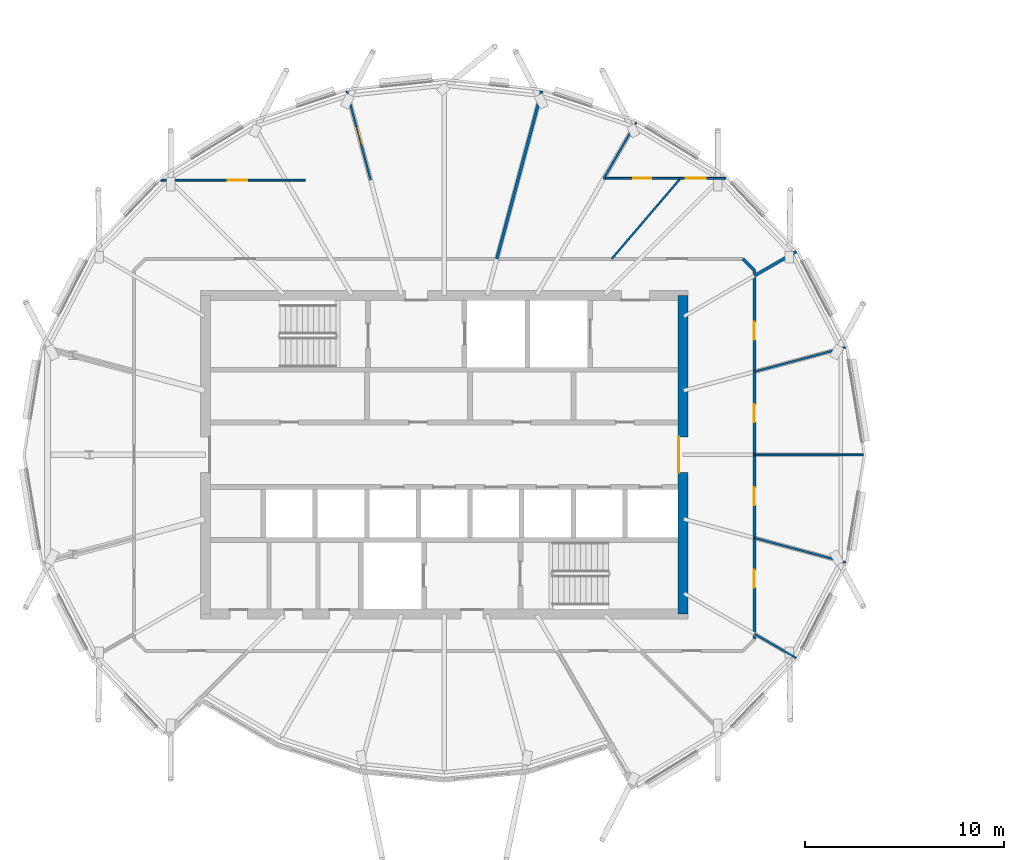
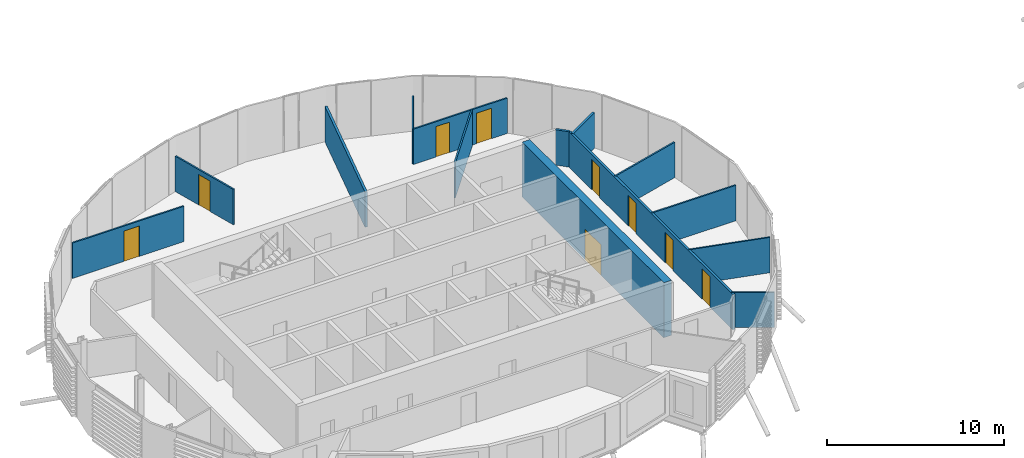
# One storey, part 19 of 38: 15 walls, 9 doors, 9 openings.
"""IFC4 building model written with IfcOpenShell, lengths in metres."""

from ifc_helpers import new_model, si_unit, direction, frame, frame_2d, origin, place, context, subcontext, project, spatial, rectangle, extrude, material, layer, layer_set, type_object, element, fill, save


model = new_model("IFC4")

# Units and contexts
model_context = context("Model", 3, precision=1e-05, world=origin(), true_north=direction((0.0, 1.0)))
body_context = subcontext(model_context, "Body", "Model", "MODEL_VIEW")
ifc_project = project(units=[si_unit("LENGTHUNIT", "METRE"), si_unit("AREAUNIT", "SQUARE_METRE"), si_unit("VOLUMEUNIT", "CUBIC_METRE"), si_unit("PLANEANGLEUNIT", "RADIAN"), si_unit("MASSUNIT", "GRAM", prefix="KILO")], contexts=[model_context])

# Site, building, storey
site_placement = place(None, origin())
site = spatial("IfcSite", under=ifc_project, at=site_placement, CompositionType="ELEMENT")
building_placement = place(site_placement, origin())
building = spatial("IfcBuilding", under=site, at=building_placement, Name="Rimbun Link Towers", CompositionType="ELEMENT")
storey_placement = place(building_placement, frame((0.0, 0.0, 218.10009765625)))
storey = spatial("IfcBuildingStorey", under=building, at=storey_placement, Name="L53", CompositionType="ELEMENT", Elevation=218.10009765625)

# Wall, opening, door
ifc_material_1 = material(Name="Concrete C60/75", Category="concrete")
ifc_layer_1 = layer(ifc_material_1, 0.5)
ifc_layer_set_1 = layer_set([ifc_layer_1], Name="Core shear wall 500")
wall_type_1 = type_object("IfcWallType", Name="Core shear wall 500", PredefinedType="SHEAR", material=ifc_layer_set_1)
wall_1_placement = place(storey_placement, frame((-19.75, -8.0, 0.0), z_axis=(0.0, 0.0, 1.0), x_axis=(0.0, 1.0, 0.0)))
wall_1 = element("IfcWall", 1, at=wall_1_placement, inside=storey, type_object=wall_type_1, Name="L53 T1 core wall E", PredefinedType="SHEAR", context=body_context, shape_type="SweptSolid", body=[
    extrude(rectangle(XDim=16.0, YDim=0.5, at=frame_2d((8.0, 0.0))), origin(), (0.0, 0.0, 1.0), 3.7998046875),
])
opening_1_placement = place(wall_1_placement, frame((7.10009765625, 0.0, 0.0)))
opening_1 = element("IfcOpeningElement", 2, at=opening_1_placement, cuts=wall_1, Name="Opening C1DCL01E", PredefinedType="OPENING", context=body_context, shape_type="SweptSolid", body=[
    extrude(rectangle(XDim=1.800048828125, YDim=2.10009765625, at=frame_2d((0.89990234375, 1.050048828125))), frame((0.0, 0.260009765625, 0.0), z_axis=(0.0, -1.0, 0.0), x_axis=(1.0, 0.0, 0.0)), (0.0, 0.0, 1.0), 0.52001953125),
])
ifc_material_2 = material(Name="Steel fire door set", Category="steel")
door_type_1 = type_object("IfcDoorType", Name="Core lobby door double", OperationType="DOUBLE_DOOR_SINGLE_SWING", PredefinedType="DOOR", material=ifc_material_2)
door_1_placement = place(opening_1_placement, origin())
door_1 = element("IfcDoor", 3, at=door_1_placement, inside=storey, type_object=door_type_1, Name="L53 T1 lift lobby door", OperationType="DOUBLE_DOOR_SINGLE_SWING", OverallHeight=2.10009765625, OverallWidth=1.800048828125, PredefinedType="DOOR", context=body_context, shape_type="SweptSolid", body=[
    extrude(rectangle(XDim=1.800048828125, YDim=2.10009765625, at=frame_2d((0.89990234375, 1.050048828125))), frame((0.0, 0.25, 0.0), z_axis=(0.0, -1.0, 0.0), x_axis=(1.0, 0.0, 0.0)), (0.0, 0.0, 1.0), 0.050048828125),
])
fill(opening_1, door_1)

# Wall
ifc_material_3 = material(Name="Plasterboard on steel stud, mineral wool", Category="steel")
ifc_layer_2 = layer(ifc_material_3, 0.14990234375)
ifc_layer_set_2 = layer_set([ifc_layer_2], Name="Corridor wall EI 30 150 mm")
wall_type_2 = type_object("IfcWallType", Name="Corridor wall EI 30 150 mm", PredefinedType="PARTITIONING", material=ifc_layer_set_2)
wall_2_placement = place(storey_placement, frame((-16.1650390625, 9.263671875, 0.0), z_axis=(0.0, 0.0, 1.0), x_axis=(-0.707106781187, 0.707106781187, 0.0)))
element("IfcWall", 4, at=wall_2_placement, inside=storey, type_object=wall_type_2, Name="Corridor wall EI 30 150 mm", PredefinedType="PARTITIONING", context=body_context, shape_type="SweptSolid", body=[
    extrude(rectangle(XDim=0.822021484375, YDim=0.14990234375, at=frame_2d((0.4111328125, 0.0))), origin(), (0.0, 0.0, 1.0), 2.43994140625),
])

# Wall, openings, doors
wall_3_placement = place(storey_placement, frame((-16.1650390625, 9.263671875, 0.0), z_axis=(0.0, 0.0, 1.0), x_axis=(0.0, -1.0, 0.0)))
wall_3 = element("IfcWall", 5, at=wall_3_placement, inside=storey, type_object=wall_type_2, Name="Corridor wall EI 30 150 mm", PredefinedType="PARTITIONING", context=body_context, shape_type="SweptSolid", body=[
    extrude(rectangle(XDim=18.52734375, YDim=0.14990234375, at=frame_2d((9.263671875, 0.0))), origin(), (0.0, 0.0, 1.0), 2.43994140625),
])
opening_2_placement = place(wall_3_placement, frame((15.041748046875, 0.0, 0.0)))
opening_2 = element("IfcOpeningElement", 6, at=opening_2_placement, cuts=wall_3, Name="Opening D02", PredefinedType="OPENING", context=body_context, shape_type="SweptSolid", body=[
    extrude(rectangle(XDim=0.89990234375, YDim=2.10009765625, at=frame_2d((0.449951171875, 1.050048828125))), frame((0.0, 0.0849609375, 0.0), z_axis=(0.0, -1.0, 0.0), x_axis=(1.0, 0.0, 0.0)), (0.0, 0.0, 1.0), 0.169921875),
])
opening_3_placement = place(wall_3_placement, frame((10.901611328125, 0.0, 0.0)))
opening_3 = element("IfcOpeningElement", 7, at=opening_3_placement, cuts=wall_3, Name="Opening D02", PredefinedType="OPENING", context=body_context, shape_type="SweptSolid", body=[
    extrude(rectangle(XDim=0.89990234375, YDim=2.10009765625, at=frame_2d((0.449951171875, 1.050048828125))), frame((0.0, 0.0849609375, 0.0), z_axis=(0.0, -1.0, 0.0), x_axis=(1.0, 0.0, 0.0)), (0.0, 0.0, 1.0), 0.169921875),
])
opening_4_placement = place(wall_3_placement, frame((6.7255859375, 0.0, 0.0)))
opening_4 = element("IfcOpeningElement", 8, at=opening_4_placement, cuts=wall_3, Name="Opening D02", PredefinedType="OPENING", context=body_context, shape_type="SweptSolid", body=[
    extrude(rectangle(XDim=0.89990234375, YDim=2.10009765625, at=frame_2d((0.449951171875, 1.050048828125))), frame((0.0, 0.0849609375, 0.0), z_axis=(0.0, -1.0, 0.0), x_axis=(1.0, 0.0, 0.0)), (0.0, 0.0, 1.0), 0.169921875),
])
opening_5_placement = place(wall_3_placement, frame((2.585693359375, 0.0, 0.0)))
opening_5 = element("IfcOpeningElement", 9, at=opening_5_placement, cuts=wall_3, Name="Opening D02", PredefinedType="OPENING", context=body_context, shape_type="SweptSolid", body=[
    extrude(rectangle(XDim=0.89990234375, YDim=2.10009765625, at=frame_2d((0.449951171875, 1.050048828125))), frame((0.0, 0.0849609375, 0.0), z_axis=(0.0, -1.0, 0.0), x_axis=(1.0, 0.0, 0.0)), (0.0, 0.0, 1.0), 0.169921875),
])
ifc_material_4 = material(Name="Fire-resisting timber door leaf", Category="wood")
door_type_2 = type_object("IfcDoorType", Name="Fire door FD30S 900", OperationType="NOTDEFINED", PredefinedType="DOOR", material=ifc_material_4)
door_2_placement = place(opening_2_placement, origin())
door_2 = element("IfcDoor", 10, at=door_2_placement, inside=storey, type_object=door_type_2, Name="Fire door FD30S 900 to Open office", OperationType="SINGLE_SWING_LEFT", OverallHeight=2.10009765625, OverallWidth=0.89990234375, PredefinedType="DOOR", context=body_context, shape_type="SweptSolid", body=[
    extrude(rectangle(XDim=0.89990234375, YDim=2.10009765625, at=frame_2d((0.449951171875, 1.050048828125))), frame((0.0, 0.02490234375, 0.0), z_axis=(0.0, -1.0, 0.0), x_axis=(1.0, 0.0, 0.0)), (0.0, 0.0, 1.0), 0.050048828125),
])
fill(opening_2, door_2)
door_3_placement = place(opening_3_placement, origin())
door_3 = element("IfcDoor", 11, at=door_3_placement, inside=storey, type_object=door_type_2, Name="Fire door FD30S 900 to Boardroom", OperationType="SINGLE_SWING_RIGHT", OverallHeight=2.10009765625, OverallWidth=0.89990234375, PredefinedType="DOOR", context=body_context, shape_type="SweptSolid", body=[
    extrude(rectangle(XDim=0.89990234375, YDim=2.10009765625, at=frame_2d((0.449951171875, 1.050048828125))), frame((0.0, 0.02490234375, 0.0), z_axis=(0.0, -1.0, 0.0), x_axis=(1.0, 0.0, 0.0)), (0.0, 0.0, 1.0), 0.050048828125),
])
fill(opening_3, door_3)
door_4_placement = place(opening_4_placement, origin())
door_4 = element("IfcDoor", 12, at=door_4_placement, inside=storey, type_object=door_type_2, Name="Fire door FD30S 900 to Meeting room", OperationType="SINGLE_SWING_LEFT", OverallHeight=2.10009765625, OverallWidth=0.89990234375, PredefinedType="DOOR", context=body_context, shape_type="SweptSolid", body=[
    extrude(rectangle(XDim=0.89990234375, YDim=2.10009765625, at=frame_2d((0.449951171875, 1.050048828125))), frame((0.0, 0.02490234375, 0.0), z_axis=(0.0, -1.0, 0.0), x_axis=(1.0, 0.0, 0.0)), (0.0, 0.0, 1.0), 0.050048828125),
])
fill(opening_4, door_4)
door_5_placement = place(opening_5_placement, origin())
door_5 = element("IfcDoor", 13, at=door_5_placement, inside=storey, type_object=door_type_2, Name="Fire door FD30S 900 to Executive office", OperationType="SINGLE_SWING_RIGHT", OverallHeight=2.10009765625, OverallWidth=0.89990234375, PredefinedType="DOOR", context=body_context, shape_type="SweptSolid", body=[
    extrude(rectangle(XDim=0.89990234375, YDim=2.10009765625, at=frame_2d((0.449951171875, 1.050048828125))), frame((0.0, 0.02490234375, 0.0), z_axis=(0.0, -1.0, 0.0), x_axis=(1.0, 0.0, 0.0)), (0.0, 0.0, 1.0), 0.050048828125),
])
fill(opening_5, door_5)

# Walls
ifc_material_5 = material(Name="Plasterboard on steel stud", Category="steel")
ifc_layer_3 = layer(ifc_material_5, 0.10009765625)
ifc_layer_set_3 = layer_set([ifc_layer_3], Name="Plasterboard partition 100 mm")
wall_type_3 = type_object("IfcWallType", Name="Plasterboard partition 100 mm", PredefinedType="PARTITIONING", material=ifc_layer_set_3)
wall_4_placement = place(storey_placement, frame((-14.065185546875, -10.21044921875, 0.0), z_axis=(0.0, 0.0, 1.0), x_axis=(-0.866016233231, 0.500015883528, 0.0)))
element("IfcWall", 14, at=wall_4_placement, inside=storey, type_object=wall_type_3, Name="Plasterboard partition 100 mm", PredefinedType="PARTITIONING", context=body_context, shape_type="SweptSolid", body=[
    extrude(rectangle(XDim=2.4248046875, YDim=0.10009765625, at=frame_2d((1.21240234375, 0.0))), origin(), (0.0, 0.0, 1.0), 2.43994140625),
])
wall_5_placement = place(storey_placement, frame((-11.57861328125, -5.40478515625, 0.0), z_axis=(0.0, 0.0, 1.0), x_axis=(-0.96593474065, 0.258785773964, 0.0)))
element("IfcWall", 15, at=wall_5_placement, inside=storey, type_object=wall_type_3, Name="Plasterboard partition 100 mm", PredefinedType="PARTITIONING", context=body_context, shape_type="SweptSolid", body=[
    extrude(rectangle(XDim=4.748291015625, YDim=0.10009765625, at=frame_2d((2.3740234375, 0.0))), origin(), (0.0, 0.0, 1.0), 2.43994140625),
])
wall_6_placement = place(storey_placement, frame((-10.689697265625, 0.0, 0.0), z_axis=(0.0, 0.0, 1.0), x_axis=(-1.0, 0.0, 0.0)))
element("IfcWall", 16, at=wall_6_placement, inside=storey, type_object=wall_type_3, Name="Plasterboard partition 100 mm", PredefinedType="PARTITIONING", context=body_context, shape_type="SweptSolid", body=[
    extrude(rectangle(XDim=5.475341796875, YDim=0.10009765625, at=frame_2d((2.73779296875, 0.0))), origin(), (0.0, 0.0, 1.0), 2.43994140625),
])
wall_7_placement = place(storey_placement, frame((-11.57861328125, 5.40478515625, 0.0), z_axis=(0.0, 0.0, 1.0), x_axis=(-0.96593474065, -0.258785773964, 0.0)))
element("IfcWall", 17, at=wall_7_placement, inside=storey, type_object=wall_type_3, Name="Plasterboard partition 100 mm", PredefinedType="PARTITIONING", context=body_context, shape_type="SweptSolid", body=[
    extrude(rectangle(XDim=4.748291015625, YDim=0.10009765625, at=frame_2d((2.3740234375, 0.0))), origin(), (0.0, 0.0, 1.0), 2.43994140625),
])

# Wall, opening, door
wall_8_placement = place(storey_placement, frame((-19.916259765625, 13.89501953125, 0.0), z_axis=(0.0, 0.0, 1.0), x_axis=(1.0, 0.0, 0.0)))
wall_8 = element("IfcWall", 18, at=wall_8_placement, inside=storey, type_object=wall_type_3, Name="Plasterboard partition 100 mm", PredefinedType="PARTITIONING", context=body_context, shape_type="SweptSolid", body=[
    extrude(rectangle(XDim=2.318603515625, YDim=0.10009765625, at=frame_2d((1.1591796875, 0.0))), origin(), (0.0, 0.0, 1.0), 2.43994140625),
])
opening_6_placement = place(wall_8_placement, frame((0.300048828125, 0.0, 0.0)))
opening_6 = element("IfcOpeningElement", 19, at=opening_6_placement, cuts=wall_8, Name="Opening D03", PredefinedType="OPENING", context=body_context, shape_type="SweptSolid", body=[
    extrude(rectangle(XDim=1.0, YDim=2.10009765625, at=frame_2d((0.5, 1.050048828125))), frame((0.0, 0.06005859375, 0.0), z_axis=(0.0, -1.0, 0.0), x_axis=(1.0, 0.0, 0.0)), (0.0, 0.0, 1.0), 0.1201171875),
])
ifc_material_6 = material(Name="Timber door leaf", Category="wood")
door_type_3 = type_object("IfcDoorType", Name="Flush door 1000", OperationType="NOTDEFINED", PredefinedType="DOOR", material=ifc_material_6)
door_6_placement = place(opening_6_placement, origin())
door_6 = element("IfcDoor", 20, at=door_6_placement, inside=storey, type_object=door_type_3, Name="Flush door 1000 to Boardroom", OperationType="SINGLE_SWING_LEFT", OverallHeight=2.10009765625, OverallWidth=1.0, PredefinedType="DOOR", context=body_context, shape_type="SweptSolid", body=[
    extrude(rectangle(XDim=1.0, YDim=2.10009765625, at=frame_2d((0.5, 1.050048828125))), frame((0.0, 0.02490234375, 0.0), z_axis=(0.0, -1.0, 0.0), x_axis=(1.0, 0.0, 0.0)), (0.0, 0.0, 1.0), 0.050048828125),
])
fill(opening_6, door_6)

# Wall
wall_9_placement = place(storey_placement, frame((-19.876708984375, 13.89501953125, 0.0), z_axis=(0.0, 0.0, 1.0), x_axis=(-0.649624395517, -0.760255315502, 0.0)))
element("IfcWall", 21, at=wall_9_placement, inside=storey, type_object=wall_type_3, Name="Plasterboard partition 100 mm", PredefinedType="PARTITIONING", context=body_context, shape_type="SweptSolid", body=[
    extrude(rectangle(XDim=5.3271484375, YDim=0.10009765625, at=frame_2d((2.66357421875, 0.0))), origin(), (0.0, 0.0, 1.0), 2.43994140625),
])

# Wall, opening, door
wall_10_placement = place(storey_placement, frame((-19.876708984375, 13.89501953125, 0.0), z_axis=(0.0, 0.0, 1.0), x_axis=(-1.0, 0.0, 0.0)))
wall_10 = element("IfcWall", 22, at=wall_10_placement, inside=storey, type_object=wall_type_3, Name="Plasterboard partition 100 mm", PredefinedType="PARTITIONING", context=body_context, shape_type="SweptSolid", body=[
    extrude(rectangle(XDim=3.85107421875, YDim=0.10009765625, at=frame_2d((1.925537109375, 0.0))), origin(), (0.0, 0.0, 1.0), 2.43994140625),
])
opening_7_placement = place(wall_10_placement, frame((1.475341796875, 0.0, 0.0)))
opening_7 = element("IfcOpeningElement", 23, at=opening_7_placement, cuts=wall_10, Name="Opening D04", PredefinedType="OPENING", context=body_context, shape_type="SweptSolid", body=[
    extrude(rectangle(XDim=0.89990234375, YDim=2.10009765625, at=frame_2d((0.449951171875, 1.050048828125))), frame((0.0, 0.06005859375, 0.0), z_axis=(0.0, -1.0, 0.0), x_axis=(1.0, 0.0, 0.0)), (0.0, 0.0, 1.0), 0.1201171875),
])
ifc_material_7 = material(Name="Timber door leaf", Category="wood")
door_type_4 = type_object("IfcDoorType", Name="Flush door 900", OperationType="NOTDEFINED", PredefinedType="DOOR", material=ifc_material_7)
door_7_placement = place(opening_7_placement, origin())
door_7 = element("IfcDoor", 24, at=door_7_placement, inside=storey, type_object=door_type_4, Name="Flush door 900 to Meeting room", OperationType="SINGLE_SWING_RIGHT", OverallHeight=2.10009765625, OverallWidth=0.89990234375, PredefinedType="DOOR", context=body_context, shape_type="SweptSolid", body=[
    extrude(rectangle(XDim=0.89990234375, YDim=2.10009765625, at=frame_2d((0.449951171875, 1.050048828125))), frame((0.0, 0.02490234375, 0.0), z_axis=(0.0, -1.0, 0.0), x_axis=(1.0, 0.0, 0.0)), (0.0, 0.0, 1.0), 0.050048828125),
])
fill(opening_7, door_7)

# Wall
wall_11_placement = place(storey_placement, frame((-22.100341796875, 16.713623046875, 0.0), z_axis=(0.0, 0.0, 1.0), x_axis=(-0.500027630784, -0.866009450556, 0.0)))
element("IfcWall", 25, at=wall_11_placement, inside=storey, type_object=wall_type_3, Name="Plasterboard partition 100 mm", PredefinedType="PARTITIONING", context=body_context, shape_type="SweptSolid", body=[
    extrude(rectangle(XDim=3.254638671875, YDim=0.10009765625, at=frame_2d((1.62744140625, 0.0))), origin(), (0.0, 0.0, 1.0), 2.43994140625),
])

# Wall, opening, door
wall_12_placement = place(storey_placement, frame((-46.003662109375, 13.804931640625, 0.0), z_axis=(0.0, 0.0, 1.0), x_axis=(1.0, 0.0, 0.0)))
wall_12 = element("IfcWall", 26, at=wall_12_placement, inside=storey, type_object=wall_type_3, Name="Plasterboard partition 100 mm", PredefinedType="PARTITIONING", context=body_context, shape_type="SweptSolid", body=[
    extrude(rectangle(XDim=7.277587890625, YDim=0.10009765625, at=frame_2d((3.638671875, 0.0))), origin(), (0.0, 0.0, 1.0), 2.43994140625),
])
opening_8_placement = place(wall_12_placement, frame((3.36328125, 0.0, 0.0)))
opening_8 = element("IfcOpeningElement", 27, at=opening_8_placement, cuts=wall_12, Name="Opening D03", PredefinedType="OPENING", context=body_context, shape_type="SweptSolid", body=[
    extrude(rectangle(XDim=1.0, YDim=2.10009765625, at=frame_2d((0.5, 1.050048828125))), frame((0.0, 0.06005859375, 0.0), z_axis=(0.0, -1.0, 0.0), x_axis=(1.0, 0.0, 0.0)), (0.0, 0.0, 1.0), 0.1201171875),
])
door_8_placement = place(opening_8_placement, origin())
door_8 = element("IfcDoor", 28, at=door_8_placement, inside=storey, type_object=door_type_3, Name="Flush door 1000 to Open office", OperationType="SINGLE_SWING_LEFT", OverallHeight=2.10009765625, OverallWidth=1.0, PredefinedType="DOOR", context=body_context, shape_type="SweptSolid", body=[
    extrude(rectangle(XDim=1.0, YDim=2.10009765625, at=frame_2d((0.5, 1.050048828125))), frame((0.0, 0.02490234375, 0.0), z_axis=(0.0, -1.0, 0.0), x_axis=(1.0, 0.0, 0.0)), (0.0, 0.0, 1.0), 0.050048828125),
])
fill(opening_8, door_8)

wall_13_placement = place(storey_placement, frame((-36.650146484375, 18.28759765625, 0.0), z_axis=(0.0, 0.0, 1.0), x_axis=(0.258779035432, -0.96593654596, 0.0)))
wall_13 = element("IfcWall", 29, at=wall_13_placement, inside=storey, type_object=wall_type_3, Name="Plasterboard partition 100 mm", PredefinedType="PARTITIONING", context=body_context, shape_type="SweptSolid", body=[
    extrude(rectangle(XDim=4.640625, YDim=0.10009765625, at=frame_2d((2.3203125, 0.0))), origin(), (0.0, 0.0, 1.0), 2.43994140625),
])
opening_9_placement = place(wall_13_placement, frame((1.870361328125, 0.0, 0.0)))
opening_9 = element("IfcOpeningElement", 30, at=opening_9_placement, cuts=wall_13, Name="Opening D04", PredefinedType="OPENING", context=body_context, shape_type="SweptSolid", body=[
    extrude(rectangle(XDim=0.89990234375, YDim=2.10009765625, at=frame_2d((0.449951171875, 1.050048828125))), frame((0.0, 0.06005859375, 0.0), z_axis=(0.0, -1.0, 0.0), x_axis=(1.0, 0.0, 0.0)), (0.0, 0.0, 1.0), 0.1201171875),
])
door_9_placement = place(opening_9_placement, origin())
door_9 = element("IfcDoor", 31, at=door_9_placement, inside=storey, type_object=door_type_4, Name="Flush door 900 to Executive office", OperationType="SINGLE_SWING_RIGHT", OverallHeight=2.10009765625, OverallWidth=0.89990234375, PredefinedType="DOOR", context=body_context, shape_type="SweptSolid", body=[
    extrude(rectangle(XDim=0.89990234375, YDim=2.10009765625, at=frame_2d((0.449951171875, 1.050048828125))), frame((0.0, 0.02490234375, 0.0), z_axis=(0.0, -1.0, 0.0), x_axis=(1.0, 0.0, 0.0)), (0.0, 0.0, 1.0), 0.050048828125),
])
fill(opening_9, door_9)

# Walls
ifc_material_8 = material(Name="Plasterboard on steel stud, mineral wool", Category="steel")
ifc_layer_4 = layer(ifc_material_8, 0.14990234375)
ifc_layer_set_4 = layer_set([ifc_layer_4], Name="Tenancy separation wall EI 60 150 mm")
wall_type_4 = type_object("IfcWallType", Name="Tenancy separation wall EI 60 150 mm", PredefinedType="PARTITIONING", material=ifc_layer_set_4)
wall_14_placement = place(storey_placement, frame((-16.1650390625, 8.998046875, 0.0), z_axis=(0.0, 0.0, 1.0), x_axis=(0.866016233231, 0.500015883528, 0.0)))
element("IfcWall", 32, at=wall_14_placement, inside=storey, type_object=wall_type_4, Name="Tenancy separation wall EI 60 150 mm", PredefinedType="PARTITIONING", context=body_context, shape_type="SweptSolid", body=[
    extrude(rectangle(XDim=2.4248046875, YDim=0.14990234375, at=frame_2d((1.21240234375, 0.0))), origin(), (0.0, 0.0, 1.0), 2.43994140625),
])
wall_15_placement = place(storey_placement, frame((-29.112060546875, 9.844970703125, 0.0), z_axis=(0.0, 0.0, 1.0), x_axis=(0.258820321487, 0.965925484282, 0.0)))
element("IfcWall", 33, at=wall_15_placement, inside=storey, type_object=wall_type_4, Name="Tenancy separation wall EI 60 150 mm", PredefinedType="PARTITIONING", context=body_context, shape_type="SweptSolid", body=[
    extrude(rectangle(XDim=8.740478515625, YDim=0.14990234375, at=frame_2d((4.3701171875, 0.0))), origin(), (0.0, 0.0, 1.0), 2.43994140625),
])

save(model, "model.ifc")
